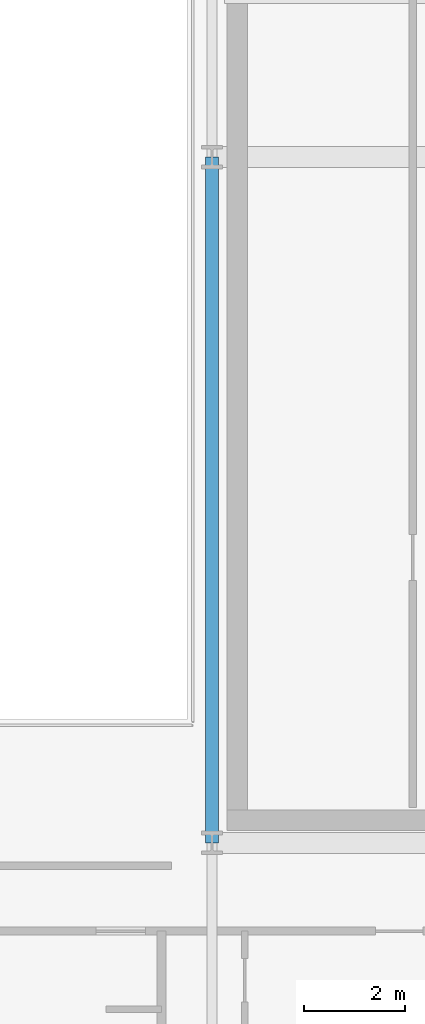
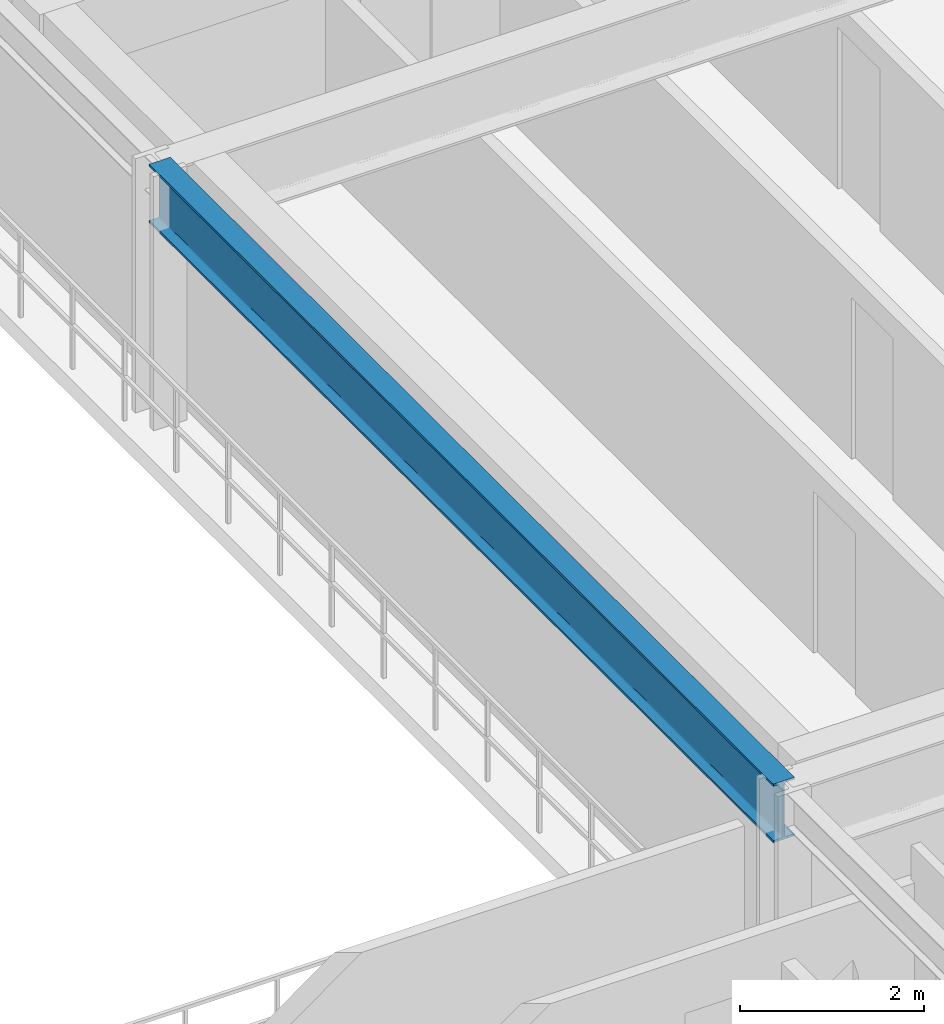
# One storey, part 9 of 27: 1 beam.
"""IFC4 building model written with IfcOpenShell, lengths in metres."""

from ifc_helpers import new_model, si_unit, direction, frame, origin, origin_2d, place, context, subcontext, project, spatial, i_section, extrude, source, transform, mapped, material, material_profile, profile_set, type_object, element, save


model = new_model("IFC4")

# Units and contexts
model_context = context("Model", 3, precision=1e-05, world=origin(), true_north=direction((0.0, 1.0)))
body_context = subcontext(model_context, "Body", "Model", "MODEL_VIEW")
ifc_project = project(units=[si_unit("LENGTHUNIT", "METRE"), si_unit("AREAUNIT", "SQUARE_METRE"), si_unit("VOLUMEUNIT", "CUBIC_METRE"), si_unit("PLANEANGLEUNIT", "RADIAN"), si_unit("MASSUNIT", "GRAM", prefix="KILO")], contexts=[model_context])

# Site, building, storey
site_placement = place(None, origin())
site = spatial("IfcSite", under=ifc_project, at=site_placement, CompositionType="ELEMENT")
building_placement = place(site_placement, origin())
building = spatial("IfcBuilding", under=site, at=building_placement, Name="Ocotamira Hotel", CompositionType="ELEMENT")
storey_placement = place(building_placement, frame((0.0, 0.0, 232.800048828125)))
storey = spatial("IfcBuildingStorey", under=building, at=storey_placement, Name="L58", CompositionType="ELEMENT", Elevation=232.800048828125)

# Beam
ifc_material = material(Name="Steel ASTM A992 Grade 50", Category="steel")
ifc_material_profile = material_profile(ifc_material, i_section(OverallWidth=0.26611328125, OverallDepth=0.779052734375, WebThickness=0.0166015625, FlangeThickness=0.030029296875, FilletRadius=0.01806640625, at=origin_2d()), Name="W30X148")
ifc_profile_set = profile_set([ifc_material_profile], Name="Steel ASTM A992 Grade 50")
beam_type = type_object("IfcBeamType", Name="BM-GIRD-W30X148", PredefinedType="BEAM", material=ifc_profile_set)
shared_shape = source(origin(), body_context, "Body", "SweptSolid", [
    extrude(i_section(OverallWidth=0.26611328125, OverallDepth=0.779052734375, WebThickness=0.0166015625, FlangeThickness=0.030029296875, FilletRadius=0.01806640625, at=origin_2d()), origin(), (0.0, 0.0, 1.0), 13.599853515625),
])
beam_placement = place(storey_placement, frame((40.5, 14.550048828125, 2.990478515625), z_axis=(0.0, 1.0, 0.0), x_axis=(-1.0, 0.0, 0.0)))
element("IfcBeam", 1, at=beam_placement, inside=storey, type_object=beam_type, Name="L58 Beam X40.5 Y14.55-28.15", PredefinedType="BEAM", context=body_context, shape_type="MappedRepresentation", body=[
    mapped(shared_shape, transform((0.0, 0.0, 0.0), scale=1.0)),
])

save(model, "model.ifc")
